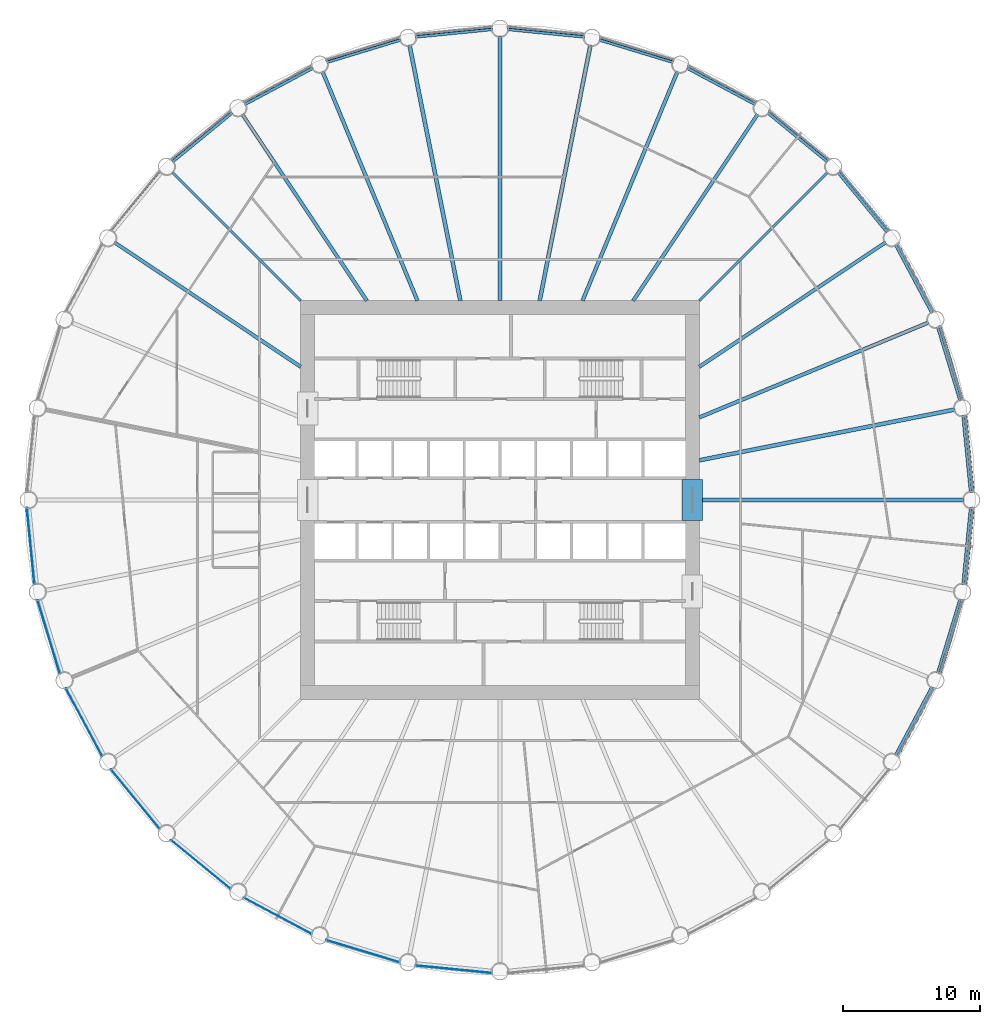
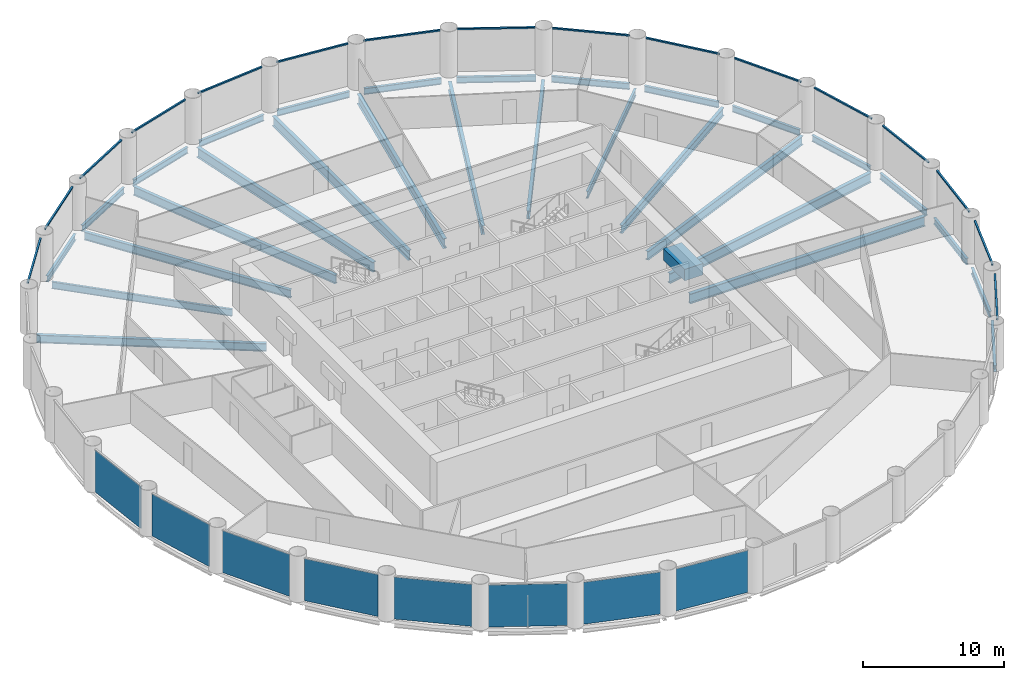
# One storey, part 2 of 9: 30 beams, 16 members, 8 plates, 24 elements without a shape of their own.
"""IFC4 building model written with IfcOpenShell, lengths in metres."""

from ifc_helpers import new_model, si_unit, direction, frame, origin, origin_2d, place, context, subcontext, project, spatial, rectangle, i_section, extrude, material, layer, layer_set, material_profile, profile_set, type_object, element, aggregate, save


model = new_model("IFC4")

# Units and contexts
model_context = context("Model", 3, precision=1e-05, world=origin(), true_north=direction((0.0, 1.0)))
body_context = subcontext(model_context, "Body", "Model", "MODEL_VIEW")
ifc_project = project(units=[si_unit("LENGTHUNIT", "METRE"), si_unit("AREAUNIT", "SQUARE_METRE"), si_unit("VOLUMEUNIT", "CUBIC_METRE"), si_unit("PLANEANGLEUNIT", "RADIAN"), si_unit("MASSUNIT", "GRAM", prefix="KILO")], contexts=[model_context])

# Site, building, storey
site_placement = place(None, origin())
site = spatial("IfcSite", under=ifc_project, at=site_placement, CompositionType="ELEMENT")
building_placement = place(site_placement, origin())
building = spatial("IfcBuilding", under=site, at=building_placement, Name="Corvane Civic Tower", CompositionType="ELEMENT")
storey_placement = place(building_placement, frame((0.0, 0.0, 98.5)))
storey = spatial("IfcBuildingStorey", under=building, at=storey_placement, Name="L22", CompositionType="ELEMENT", Elevation=98.5)

# Beams
ifc_material_1 = material(Name="Concrete C70/85", Category="concrete")
ifc_material_profile_1 = material_profile(ifc_material_1, rectangle(XDim=1.5, YDim=1.0, at=origin_2d()), Name="COUPLING BEAM 1500X1000")
ifc_profile_set_1 = profile_set([ifc_material_profile_1], Name="Concrete C70/85")
beam_type_1 = type_object("IfcBeamType", Name="COUPLING BEAM COUPLING BEAM 1500X1000", PredefinedType="BEAM", material=ifc_profile_set_1)
beam_1_placement = place(storey_placement, frame((14.0, -1.5, 2.60009765625), z_axis=(0.0, 1.0, 0.0), x_axis=(-1.0, 0.0, 0.0)))
element("IfcBeam", 1, at=beam_1_placement, inside=storey, type_object=beam_type_1, Name="BM-L22-cpl-CW-LE", PredefinedType="BEAM", context=body_context, shape_type="SweptSolid", body=[
    extrude(rectangle(XDim=1.5, YDim=1.0, at=origin_2d()), origin(), (0.0, 0.0, 1.0), 3.0),
])
ifc_material_2 = material(Name="Steel ASTM A992 Gr 50", Category="steel")
ifc_material_profile_2 = material_profile(ifc_material_2, i_section(OverallWidth=0.209228515625, OverallDepth=0.533447265625, WebThickness=0.01025390625, FlangeThickness=0.015625, at=origin_2d()), Name="W21X62")
ifc_profile_set_2 = profile_set([ifc_material_profile_2], Name="Steel ASTM A992 Gr 50")
beam_type_2 = type_object("IfcBeamType", Name="EDGE BEAM W21X62", PredefinedType="BEAM", material=ifc_profile_set_2)
beam_2_placement = place(storey_placement, frame((0.54736328125, 34.24609375, -0.566650390625), z_axis=(0.995184368522, -0.098020776625, 0.0), x_axis=(0.098020776625, 0.995184368522, 0.0)))
element("IfcBeam", 2, at=beam_2_placement, inside=storey, type_object=beam_type_2, Name="BM-L22-E01", PredefinedType="BEAM", context=body_context, shape_type="SweptSolid", body=[
    extrude(i_section(OverallWidth=0.209228515625, OverallDepth=0.533447265625, WebThickness=0.01025390625, FlangeThickness=0.015625, at=origin_2d()), origin(), (0.0, 0.0, 1.0), 5.6240234375),
])
beam_3_placement = place(storey_placement, frame((7.218017578125, 33.481201171875, -0.566650390625), z_axis=(0.956936367498, -0.290297758448, 0.0), x_axis=(0.290297758448, 0.956936367498, 0.0)))
element("IfcBeam", 3, at=beam_3_placement, inside=storey, type_object=beam_type_2, Name="BM-L22-E02", PredefinedType="BEAM", context=body_context, shape_type="SweptSolid", body=[
    extrude(i_section(OverallWidth=0.209228515625, OverallDepth=0.533447265625, WebThickness=0.01025390625, FlangeThickness=0.015625, at=origin_2d()), origin(), (0.0, 0.0, 1.0), 5.623779296875),
])
for number, where, z_axis, x_axis, name in (
    (4, (13.611083984375, 31.4296875, -0.566650390625), (0.88192357867, -0.471392407008, 0.0), (0.471392407008, 0.88192357867, 0.0), "BM-L22-E03"),
    (5, (19.481201171875, 28.17041015625, -0.566650390625), (0.773006775372, -0.634397765782, 0.0), (0.634397765782, 0.773006775372, 0.0), "BM-L22-E04"),
    (6, (24.6025390625, 23.82861328125, -0.566650390625), (0.634397765782, -0.773006775372, 0.0), (0.773006775372, 0.634397765782, 0.0), "BM-L22-E05"),
    (7, (28.778564453125, 18.571044921875, -0.566650390625), (0.471392407008, -0.88192357867, 0.0), (0.88192357867, 0.471392407008, 0.0), "BM-L22-E06"),
):
    element("IfcBeam", number, at=place(storey_placement, frame(where, z_axis=z_axis, x_axis=x_axis)), inside=storey, type_object=beam_type_2, Name=name, PredefinedType="BEAM", context=body_context, shape_type="SweptSolid", body=[
        extrude(i_section(OverallWidth=0.209228515625, OverallDepth=0.533447265625, WebThickness=0.01025390625, FlangeThickness=0.015625, at=origin_2d()), origin(), (0.0, 0.0, 1.0), 5.6240234375),
    ])
beam_4_placement = place(storey_placement, frame((31.8486328125, 12.599609375, -0.566650390625), z_axis=(0.290297758448, -0.956936367498, 0.0), x_axis=(0.956936367498, 0.290297758448, 0.0)))
element("IfcBeam", 8, at=beam_4_placement, inside=storey, type_object=beam_type_2, Name="BM-L22-E07", PredefinedType="BEAM", context=body_context, shape_type="SweptSolid", body=[
    extrude(i_section(OverallWidth=0.209228515625, OverallDepth=0.533447265625, WebThickness=0.01025390625, FlangeThickness=0.015625, at=origin_2d()), origin(), (0.0, 0.0, 1.0), 5.623779296875),
])
for number, where, z_axis, x_axis, name in (
    (9, (33.69482421875, 6.144287109375, -0.566650390625), (0.098020776625, -0.995184368522, 0.0), (0.995184368522, 0.098020776625, 0.0), "BM-L22-E08"),
    (10, (34.24609375, -0.54736328125, -0.566650390625), (-0.098020776625, -0.995184368522, 0.0), (0.995184368522, -0.098020776625, 0.0), "BM-L22-E09"),
):
    element("IfcBeam", number, at=place(storey_placement, frame(where, z_axis=z_axis, x_axis=x_axis)), inside=storey, type_object=beam_type_2, Name=name, PredefinedType="BEAM", context=body_context, shape_type="SweptSolid", body=[
        extrude(i_section(OverallWidth=0.209228515625, OverallDepth=0.533447265625, WebThickness=0.01025390625, FlangeThickness=0.015625, at=origin_2d()), origin(), (0.0, 0.0, 1.0), 5.6240234375),
    ])
beam_5_placement = place(storey_placement, frame((33.481201171875, -7.218017578125, -0.566650390625), z_axis=(-0.290297758448, -0.956936367498, 0.0), x_axis=(0.956936367498, -0.290297758448, 0.0)))
element("IfcBeam", 11, at=beam_5_placement, inside=storey, type_object=beam_type_2, Name="BM-L22-E10", PredefinedType="BEAM", context=body_context, shape_type="SweptSolid", body=[
    extrude(i_section(OverallWidth=0.209228515625, OverallDepth=0.533447265625, WebThickness=0.01025390625, FlangeThickness=0.015625, at=origin_2d()), origin(), (0.0, 0.0, 1.0), 5.623779296875),
])
for number, where, z_axis, x_axis, name in (
    (12, (31.4296875, -13.611083984375, -0.566650390625), (-0.471392407008, -0.88192357867, 0.0), (0.88192357867, -0.471392407008, 0.0), "BM-L22-E11"),
    (13, (-23.82861328125, 24.6025390625, -0.566650390625), (0.773006775372, 0.634397765782, 0.0), (-0.634397765782, 0.773006775372, 0.0), "BM-L22-E29"),
    (14, (-18.571044921875, 28.778564453125, -0.566650390625), (0.88192357867, 0.471392407008, 0.0), (-0.471392407008, 0.88192357867, 0.0), "BM-L22-E30"),
):
    element("IfcBeam", number, at=place(storey_placement, frame(where, z_axis=z_axis, x_axis=x_axis)), inside=storey, type_object=beam_type_2, Name=name, PredefinedType="BEAM", context=body_context, shape_type="SweptSolid", body=[
        extrude(i_section(OverallWidth=0.209228515625, OverallDepth=0.533447265625, WebThickness=0.01025390625, FlangeThickness=0.015625, at=origin_2d()), origin(), (0.0, 0.0, 1.0), 5.6240234375),
    ])
beam_6_placement = place(storey_placement, frame((-12.599609375, 31.8486328125, -0.566650390625), z_axis=(0.956936367498, 0.290297758448, 0.0), x_axis=(-0.290297758448, 0.956936367498, 0.0)))
element("IfcBeam", 15, at=beam_6_placement, inside=storey, type_object=beam_type_2, Name="BM-L22-E31", PredefinedType="BEAM", context=body_context, shape_type="SweptSolid", body=[
    extrude(i_section(OverallWidth=0.209228515625, OverallDepth=0.533447265625, WebThickness=0.01025390625, FlangeThickness=0.015625, at=origin_2d()), origin(), (0.0, 0.0, 1.0), 5.623779296875),
])
beam_7_placement = place(storey_placement, frame((-6.144287109375, 33.69482421875, -0.566650390625), z_axis=(0.995184368522, 0.098020776625, 0.0), x_axis=(-0.098020776625, 0.995184368522, 0.0)))
element("IfcBeam", 16, at=beam_7_placement, inside=storey, type_object=beam_type_2, Name="BM-L22-E32", PredefinedType="BEAM", context=body_context, shape_type="SweptSolid", body=[
    extrude(i_section(OverallWidth=0.209228515625, OverallDepth=0.533447265625, WebThickness=0.01025390625, FlangeThickness=0.015625, at=origin_2d()), origin(), (0.0, 0.0, 1.0), 5.6240234375),
])
ifc_material_3 = material(Name="Steel ASTM A992 Gr 50", Category="steel")
ifc_material_profile_3 = material_profile(ifc_material_3, i_section(OverallWidth=0.177978515625, OverallDepth=0.599365234375, WebThickness=0.010009765625, FlangeThickness=0.012939453125, at=origin_2d()), Name="W24X55")
ifc_profile_set_3 = profile_set([ifc_material_profile_3], Name="Steel ASTM A992 Gr 50")
beam_type_3 = type_object("IfcBeamType", Name="FLOOR GIRDER W24X55", PredefinedType="BEAM", material=ifc_profile_set_3)
for number, where, z_axis, x_axis, name in (
    (17, (14.5, 14.5, -0.599609375), (0.707106781187, 0.707106781187, 0.0), (-0.707106781187, 0.707106781187, 0.0), "BM-L22-G05"),
    (18, (-14.5, 14.5, -0.599609375), (-0.707106781187, 0.707106781187, 0.0), (-0.707106781187, -0.707106781187, 0.0), "BM-L22-G29"),
):
    element("IfcBeam", number, at=place(storey_placement, frame(where, z_axis=z_axis, x_axis=x_axis)), inside=storey, type_object=beam_type_3, Name=name, PredefinedType="BEAM", context=body_context, shape_type="SweptSolid", body=[
        extrude(i_section(OverallWidth=0.177978515625, OverallDepth=0.599365234375, WebThickness=0.010009765625, FlangeThickness=0.012939453125, at=origin_2d()), origin(), (0.0, 0.0, 1.0), 13.24365234375),
    ])
ifc_material_4 = material(Name="Steel ASTM A992 Gr 50", Category="steel")
ifc_material_profile_4 = material_profile(ifc_material_4, i_section(OverallWidth=0.256591796875, OverallDepth=0.693359375, WebThickness=0.014404296875, FlangeThickness=0.023681640625, at=origin_2d()), Name="W27X114")
ifc_profile_set_4 = profile_set([ifc_material_profile_4], Name="Steel ASTM A992 Gr 50")
beam_type_4 = type_object("IfcBeamType", Name="FLOOR GIRDER W27X114", PredefinedType="BEAM", material=ifc_profile_set_4)
for number, where, z_axis, x_axis, name in (
    (19, (9.6884765625, 14.5, -0.646728515625), (0.555577235054, 0.83146493365, 0.0), (-0.83146493365, 0.555577235054, 0.0), "BM-L22-G04"),
    (20, (14.5, 9.6884765625, -0.646728515625), (0.83146493365, 0.555577235054, 0.0), (-0.555577235054, 0.83146493365, 0.0), "BM-L22-G06"),
    (21, (-14.5, 9.6884765625, -0.646728515625), (-0.83146493365, 0.555577235054, 0.0), (-0.555577235054, -0.83146493365, 0.0), "BM-L22-G28"),
    (22, (-9.6884765625, 14.5, -0.646728515625), (-0.555577235054, 0.83146493365, 0.0), (-0.83146493365, -0.555577235054, 0.0), "BM-L22-G30"),
):
    element("IfcBeam", number, at=place(storey_placement, frame(where, z_axis=z_axis, x_axis=x_axis)), inside=storey, type_object=beam_type_4, Name=name, PredefinedType="BEAM", context=body_context, shape_type="SweptSolid", body=[
        extrude(i_section(OverallWidth=0.256591796875, OverallDepth=0.693359375, WebThickness=0.014404296875, FlangeThickness=0.023681640625, at=origin_2d()), origin(), (0.0, 0.0, 1.0), 16.31103515625),
    ])
ifc_material_5 = material(Name="Steel ASTM A992 Gr 50", Category="steel")
ifc_material_profile_5 = material_profile(ifc_material_5, i_section(OverallWidth=0.2666015625, OverallDepth=0.7568359375, WebThickness=0.013916015625, FlangeThickness=0.019287109375, at=origin_2d()), Name="W30X108")
ifc_profile_set_5 = profile_set([ifc_material_profile_5], Name="Steel ASTM A992 Gr 50")
beam_type_5 = type_object("IfcBeamType", Name="FLOOR GIRDER W30X108", PredefinedType="BEAM", material=ifc_profile_set_5)
for number, where, z_axis, x_axis, name in (
    (23, (6.006103515625, 14.5, -0.678466796875), (0.382681797504, 0.923880209691, 0.0), (-0.923880209691, 0.382681797504, 0.0), "BM-L22-G03"),
    (24, (14.5, 6.006103515625, -0.678466796875), (0.923880209691, 0.382681797504, 0.0), (-0.382681797504, 0.923880209691, 0.0), "BM-L22-G07"),
    (25, (-6.006103515625, 14.5, -0.678466796875), (-0.382681797504, 0.923880209691, 0.0), (-0.923880209691, -0.382681797504, 0.0), "BM-L22-G31"),
):
    element("IfcBeam", number, at=place(storey_placement, frame(where, z_axis=z_axis, x_axis=x_axis)), inside=storey, type_object=beam_type_5, Name=name, PredefinedType="BEAM", context=body_context, shape_type="SweptSolid", body=[
        extrude(i_section(OverallWidth=0.2666015625, OverallDepth=0.7568359375, WebThickness=0.013916015625, FlangeThickness=0.019287109375, at=origin_2d()), origin(), (0.0, 0.0, 1.0), 18.05517578125),
    ])
ifc_material_6 = material(Name="Steel ASTM A992 Gr 50", Category="steel")
ifc_material_profile_6 = material_profile(ifc_material_6, i_section(OverallWidth=0.2919921875, OverallDepth=0.8583984375, WebThickness=0.01708984375, FlangeThickness=0.031005859375, at=origin_2d()), Name="W33X169")
ifc_profile_set_6 = profile_set([ifc_material_profile_6], Name="Steel ASTM A992 Gr 50")
beam_type_6 = type_object("IfcBeamType", Name="FLOOR GIRDER W33X169", PredefinedType="BEAM", material=ifc_profile_set_6)
beam_8_placement = place(storey_placement, frame((0.0, 14.5, -0.729248046875), z_axis=(0.0, 1.0, 0.0), x_axis=(-1.0, 0.0, 0.0)))
element("IfcBeam", 26, at=beam_8_placement, inside=storey, type_object=beam_type_6, Name="BM-L22-G01", PredefinedType="BEAM", context=body_context, shape_type="SweptSolid", body=[
    extrude(i_section(OverallWidth=0.2919921875, OverallDepth=0.8583984375, WebThickness=0.01708984375, FlangeThickness=0.031005859375, at=origin_2d()), origin(), (0.0, 0.0, 1.0), 19.25),
])
for number, where, z_axis, x_axis, name in (
    (27, (2.88427734375, 14.5, -0.729248046875), (0.195083745652, 0.9807865885, 0.0), (-0.9807865885, 0.195083745652, 0.0), "BM-L22-G02"),
    (28, (14.5, 2.88427734375, -0.729248046875), (0.9807865885, 0.195083745652, 0.0), (-0.195083745652, 0.9807865885, 0.0), "BM-L22-G08"),
):
    element("IfcBeam", number, at=place(storey_placement, frame(where, z_axis=z_axis, x_axis=x_axis)), inside=storey, type_object=beam_type_6, Name=name, PredefinedType="BEAM", context=body_context, shape_type="SweptSolid", body=[
        extrude(i_section(OverallWidth=0.2919921875, OverallDepth=0.8583984375, WebThickness=0.01708984375, FlangeThickness=0.031005859375, at=origin_2d()), origin(), (0.0, 0.0, 1.0), 18.966064453125),
    ])
beam_9_placement = place(storey_placement, frame((14.5, 0.0, -0.729248046875), z_axis=(1.0, 0.0, 0.0), x_axis=(0.0, 1.0, 0.0)))
element("IfcBeam", 29, at=beam_9_placement, inside=storey, type_object=beam_type_6, Name="BM-L22-G09", PredefinedType="BEAM", context=body_context, shape_type="SweptSolid", body=[
    extrude(i_section(OverallWidth=0.2919921875, OverallDepth=0.8583984375, WebThickness=0.01708984375, FlangeThickness=0.031005859375, at=origin_2d()), origin(), (0.0, 0.0, 1.0), 19.25),
])
beam_10_placement = place(storey_placement, frame((-2.88427734375, 14.5, -0.729248046875), z_axis=(-0.195083745652, 0.9807865885, 0.0), x_axis=(-0.9807865885, -0.195083745652, 0.0)))
element("IfcBeam", 30, at=beam_10_placement, inside=storey, type_object=beam_type_6, Name="BM-L22-G32", PredefinedType="BEAM", context=body_context, shape_type="SweptSolid", body=[
    extrude(i_section(OverallWidth=0.2919921875, OverallDepth=0.8583984375, WebThickness=0.01708984375, FlangeThickness=0.031005859375, at=origin_2d()), origin(), (0.0, 0.0, 1.0), 18.966064453125),
])

# Curtain wall, member
ifc_material_7 = material(Name="Anodised aluminium bronze", Category="aluminium")
curtain_wall_type = type_object("IfcCurtainWallType", Name="TOWER CW-T1 STICK CURTAIN WALL", PredefinedType="NOTDEFINED", material=ifc_material_7)
curtain_wall_1_placement = place(storey_placement, origin())
curtain_wall_1 = element("IfcCurtainWall", 31, at=curtain_wall_1_placement, inside=storey, type_object=curtain_wall_type, Name="Curtain wall CW-T1 L22 bay 01", PredefinedType="NOTDEFINED")
ifc_material_8 = material(Name="Anodised aluminium bronze", Category="aluminium")
ifc_material_profile_7 = material_profile(ifc_material_8, rectangle(XDim=0.139892578125, YDim=0.1201171875, at=origin_2d()), Name="TOWER CW-T1 TRANSOM 140x120")
ifc_profile_set_7 = profile_set([ifc_material_profile_7], Name="Anodised aluminium bronze")
member_type = type_object("IfcMemberType", Name="TOWER CW-T1 TRANSOM 140x120", PredefinedType="USERDEFINED", material=ifc_profile_set_7)
member_1_placement = place(storey_placement, frame((0.58349609375, 34.422607421875, 3.68994140625), z_axis=(0.995179807033, -0.098067077419, 0.0), x_axis=(0.098067077419, 0.995179807033, 0.0)))
member_1 = element("IfcMember", 32, at=member_1_placement, type_object=member_type, Name="Transom CW-T1 L22 01.1", ObjectType="TRANSOM", PredefinedType="USERDEFINED", context=body_context, shape_type="SweptSolid", body=[
    extrude(rectangle(XDim=0.139892578125, YDim=0.1201171875, at=origin_2d()), origin(), (0.0, 0.0, 1.0), 5.58642578125),
])
aggregate(curtain_wall_1, [member_1])

curtain_wall_2_placement = place(storey_placement, origin())
curtain_wall_2 = element("IfcCurtainWall", 33, at=curtain_wall_2_placement, inside=storey, type_object=curtain_wall_type, Name="Curtain wall CW-T1 L22 bay 02", PredefinedType="NOTDEFINED")
member_2_placement = place(storey_placement, frame((7.287841796875, 33.647216796875, 3.68994140625), z_axis=(0.956944977029, -0.290269376509, 0.0), x_axis=(0.290269376509, 0.956944977029, 0.0)))
member_2 = element("IfcMember", 34, at=member_2_placement, type_object=member_type, Name="Transom CW-T1 L22 02.1", ObjectType="TRANSOM", PredefinedType="USERDEFINED", context=body_context, shape_type="SweptSolid", body=[
    extrude(rectangle(XDim=0.139892578125, YDim=0.1201171875, at=origin_2d()), origin(), (0.0, 0.0, 1.0), 5.58642578125),
])
aggregate(curtain_wall_2, [member_2])

curtain_wall_3_placement = place(storey_placement, origin())
curtain_wall_3 = element("IfcCurtainWall", 35, at=curtain_wall_3_placement, inside=storey, type_object=curtain_wall_type, Name="Curtain wall CW-T1 L22 bay 03", PredefinedType="NOTDEFINED")
member_3_placement = place(storey_placement, frame((13.712158203125, 31.5791015625, 3.68994140625), z_axis=(0.881920705407, -0.47139778253, 0.0), x_axis=(0.47139778253, 0.881920705407, 0.0)))
member_3 = element("IfcMember", 36, at=member_3_placement, type_object=member_type, Name="Transom CW-T1 L22 03.1", ObjectType="TRANSOM", PredefinedType="USERDEFINED", context=body_context, shape_type="SweptSolid", body=[
    extrude(rectangle(XDim=0.139892578125, YDim=0.1201171875, at=origin_2d()), origin(), (0.0, 0.0, 1.0), 5.586669921875),
])
aggregate(curtain_wall_3, [member_3])

curtain_wall_4_placement = place(storey_placement, origin())
curtain_wall_4 = element("IfcCurtainWall", 37, at=curtain_wall_4_placement, inside=storey, type_object=curtain_wall_type, Name="Curtain wall CW-T1 L22 bay 04", PredefinedType="NOTDEFINED")
member_4_placement = place(storey_placement, frame((19.609619140625, 28.297119140625, 3.68994140625), z_axis=(0.772996431642, -0.634410369295, 0.0), x_axis=(0.634410369295, 0.772996431642, 0.0)))
member_4 = element("IfcMember", 38, at=member_4_placement, type_object=member_type, Name="Transom CW-T1 L22 04.1", ObjectType="TRANSOM", PredefinedType="USERDEFINED", context=body_context, shape_type="SweptSolid", body=[
    extrude(rectangle(XDim=0.139892578125, YDim=0.1201171875, at=origin_2d()), origin(), (0.0, 0.0, 1.0), 5.586181640625),
])
aggregate(curtain_wall_4, [member_4])

curtain_wall_5_placement = place(storey_placement, origin())
curtain_wall_5 = element("IfcCurtainWall", 39, at=curtain_wall_5_placement, inside=storey, type_object=curtain_wall_type, Name="Curtain wall CW-T1 L22 bay 05", PredefinedType="NOTDEFINED")
member_5_placement = place(storey_placement, frame((24.753173828125, 23.927734375, 3.68994140625), z_axis=(0.634410369295, -0.772996431642, 0.0), x_axis=(0.772996431642, 0.634410369295, 0.0)))
member_5 = element("IfcMember", 40, at=member_5_placement, type_object=member_type, Name="Transom CW-T1 L22 05.1", ObjectType="TRANSOM", PredefinedType="USERDEFINED", context=body_context, shape_type="SweptSolid", body=[
    extrude(rectangle(XDim=0.139892578125, YDim=0.1201171875, at=origin_2d()), origin(), (0.0, 0.0, 1.0), 5.586181640625),
])
aggregate(curtain_wall_5, [member_5])

curtain_wall_6_placement = place(storey_placement, origin())
curtain_wall_6 = element("IfcCurtainWall", 41, at=curtain_wall_6_placement, inside=storey, type_object=curtain_wall_type, Name="Curtain wall CW-T1 L22 bay 06", PredefinedType="NOTDEFINED")
member_6_placement = place(storey_placement, frame((28.945556640625, 18.63916015625, 3.68994140625), z_axis=(0.47139778253, -0.881920705407, 0.0), x_axis=(0.881920705407, 0.47139778253, 0.0)))
member_6 = element("IfcMember", 42, at=member_6_placement, type_object=member_type, Name="Transom CW-T1 L22 06.1", ObjectType="TRANSOM", PredefinedType="USERDEFINED", context=body_context, shape_type="SweptSolid", body=[
    extrude(rectangle(XDim=0.139892578125, YDim=0.1201171875, at=origin_2d()), origin(), (0.0, 0.0, 1.0), 5.586669921875),
])
aggregate(curtain_wall_6, [member_6])

curtain_wall_7_placement = place(storey_placement, origin())
curtain_wall_7 = element("IfcCurtainWall", 43, at=curtain_wall_7_placement, inside=storey, type_object=curtain_wall_type, Name="Curtain wall CW-T1 L22 bay 07", PredefinedType="NOTDEFINED")
member_7_placement = place(storey_placement, frame((32.025634765625, 12.6337890625, 3.68994140625), z_axis=(0.290269376509, -0.956944977029, 0.0), x_axis=(0.956944977029, 0.290269376509, 0.0)))
member_7 = element("IfcMember", 44, at=member_7_placement, type_object=member_type, Name="Transom CW-T1 L22 07.1", ObjectType="TRANSOM", PredefinedType="USERDEFINED", context=body_context, shape_type="SweptSolid", body=[
    extrude(rectangle(XDim=0.139892578125, YDim=0.1201171875, at=origin_2d()), origin(), (0.0, 0.0, 1.0), 5.58642578125),
])
aggregate(curtain_wall_7, [member_7])

curtain_wall_8_placement = place(storey_placement, origin())
curtain_wall_8 = element("IfcCurtainWall", 45, at=curtain_wall_8_placement, inside=storey, type_object=curtain_wall_type, Name="Curtain wall CW-T1 L22 bay 08", PredefinedType="NOTDEFINED")
member_8_placement = place(storey_placement, frame((33.874755859375, 6.14306640625, 3.68994140625), z_axis=(0.098067077419, -0.995179807033, 0.0), x_axis=(0.995179807033, 0.098067077419, 0.0)))
member_8 = element("IfcMember", 46, at=member_8_placement, type_object=member_type, Name="Transom CW-T1 L22 08.1", ObjectType="TRANSOM", PredefinedType="USERDEFINED", context=body_context, shape_type="SweptSolid", body=[
    extrude(rectangle(XDim=0.139892578125, YDim=0.1201171875, at=origin_2d()), origin(), (0.0, 0.0, 1.0), 5.58642578125),
])
aggregate(curtain_wall_8, [member_8])

curtain_wall_9_placement = place(storey_placement, origin())
curtain_wall_9 = element("IfcCurtainWall", 47, at=curtain_wall_9_placement, inside=storey, type_object=curtain_wall_type, Name="Curtain wall CW-T1 L22 bay 09", PredefinedType="NOTDEFINED")
member_9_placement = place(storey_placement, frame((34.422607421875, -0.58349609375, 3.68994140625), z_axis=(-0.098067077419, -0.995179807033, 0.0), x_axis=(0.995179807033, -0.098067077419, 0.0)))
member_9 = element("IfcMember", 48, at=member_9_placement, type_object=member_type, Name="Transom CW-T1 L22 09.1", ObjectType="TRANSOM", PredefinedType="USERDEFINED", context=body_context, shape_type="SweptSolid", body=[
    extrude(rectangle(XDim=0.139892578125, YDim=0.1201171875, at=origin_2d()), origin(), (0.0, 0.0, 1.0), 5.58642578125),
])
aggregate(curtain_wall_9, [member_9])

curtain_wall_10_placement = place(storey_placement, origin())
curtain_wall_10 = element("IfcCurtainWall", 49, at=curtain_wall_10_placement, inside=storey, type_object=curtain_wall_type, Name="Curtain wall CW-T1 L22 bay 10", PredefinedType="NOTDEFINED")
member_10_placement = place(storey_placement, frame((33.647216796875, -7.287841796875, 3.68994140625), z_axis=(-0.290269376509, -0.956944977029, 0.0), x_axis=(0.956944977029, -0.290269376509, 0.0)))
member_10 = element("IfcMember", 50, at=member_10_placement, type_object=member_type, Name="Transom CW-T1 L22 10.1", ObjectType="TRANSOM", PredefinedType="USERDEFINED", context=body_context, shape_type="SweptSolid", body=[
    extrude(rectangle(XDim=0.139892578125, YDim=0.1201171875, at=origin_2d()), origin(), (0.0, 0.0, 1.0), 5.58642578125),
])
aggregate(curtain_wall_10, [member_10])

curtain_wall_11_placement = place(storey_placement, origin())
curtain_wall_11 = element("IfcCurtainWall", 51, at=curtain_wall_11_placement, inside=storey, type_object=curtain_wall_type, Name="Curtain wall CW-T1 L22 bay 11", PredefinedType="NOTDEFINED")
member_11_placement = place(storey_placement, frame((31.5791015625, -13.712158203125, 3.68994140625), z_axis=(-0.47139778253, -0.881920705407, 0.0), x_axis=(0.881920705407, -0.47139778253, 0.0)))
member_11 = element("IfcMember", 52, at=member_11_placement, type_object=member_type, Name="Transom CW-T1 L22 11.1", ObjectType="TRANSOM", PredefinedType="USERDEFINED", context=body_context, shape_type="SweptSolid", body=[
    extrude(rectangle(XDim=0.139892578125, YDim=0.1201171875, at=origin_2d()), origin(), (0.0, 0.0, 1.0), 5.586669921875),
])
aggregate(curtain_wall_11, [member_11])

curtain_wall_12_placement = place(storey_placement, origin())
curtain_wall_12 = element("IfcCurtainWall", 53, at=curtain_wall_12_placement, inside=storey, type_object=curtain_wall_type, Name="Curtain wall CW-T1 L22 bay 28", PredefinedType="NOTDEFINED")
member_12_placement = place(storey_placement, frame((-28.297119140625, 19.609619140625, 3.68994140625), z_axis=(0.634410369295, 0.772996431642, 0.0), x_axis=(-0.772996431642, 0.634410369295, 0.0)))
member_12 = element("IfcMember", 54, at=member_12_placement, type_object=member_type, Name="Transom CW-T1 L22 28.1", ObjectType="TRANSOM", PredefinedType="USERDEFINED", context=body_context, shape_type="SweptSolid", body=[
    extrude(rectangle(XDim=0.139892578125, YDim=0.1201171875, at=origin_2d()), origin(), (0.0, 0.0, 1.0), 5.586181640625),
])
aggregate(curtain_wall_12, [member_12])

curtain_wall_13_placement = place(storey_placement, origin())
curtain_wall_13 = element("IfcCurtainWall", 55, at=curtain_wall_13_placement, inside=storey, type_object=curtain_wall_type, Name="Curtain wall CW-T1 L22 bay 29", PredefinedType="NOTDEFINED")
member_13_placement = place(storey_placement, frame((-23.927734375, 24.753173828125, 3.68994140625), z_axis=(0.772996431642, 0.634410369295, 0.0), x_axis=(-0.634410369295, 0.772996431642, 0.0)))
member_13 = element("IfcMember", 56, at=member_13_placement, type_object=member_type, Name="Transom CW-T1 L22 29.1", ObjectType="TRANSOM", PredefinedType="USERDEFINED", context=body_context, shape_type="SweptSolid", body=[
    extrude(rectangle(XDim=0.139892578125, YDim=0.1201171875, at=origin_2d()), origin(), (0.0, 0.0, 1.0), 5.586181640625),
])
aggregate(curtain_wall_13, [member_13])

curtain_wall_14_placement = place(storey_placement, origin())
curtain_wall_14 = element("IfcCurtainWall", 57, at=curtain_wall_14_placement, inside=storey, type_object=curtain_wall_type, Name="Curtain wall CW-T1 L22 bay 30", PredefinedType="NOTDEFINED")
member_14_placement = place(storey_placement, frame((-18.63916015625, 28.945556640625, 3.68994140625), z_axis=(0.881920705407, 0.47139778253, 0.0), x_axis=(-0.47139778253, 0.881920705407, 0.0)))
member_14 = element("IfcMember", 58, at=member_14_placement, type_object=member_type, Name="Transom CW-T1 L22 30.1", ObjectType="TRANSOM", PredefinedType="USERDEFINED", context=body_context, shape_type="SweptSolid", body=[
    extrude(rectangle(XDim=0.139892578125, YDim=0.1201171875, at=origin_2d()), origin(), (0.0, 0.0, 1.0), 5.586669921875),
])
aggregate(curtain_wall_14, [member_14])

curtain_wall_15_placement = place(storey_placement, origin())
curtain_wall_15 = element("IfcCurtainWall", 59, at=curtain_wall_15_placement, inside=storey, type_object=curtain_wall_type, Name="Curtain wall CW-T1 L22 bay 31", PredefinedType="NOTDEFINED")
member_15_placement = place(storey_placement, frame((-12.6337890625, 32.025634765625, 3.68994140625), z_axis=(0.956944977029, 0.290269376509, 0.0), x_axis=(-0.290269376509, 0.956944977029, 0.0)))
member_15 = element("IfcMember", 60, at=member_15_placement, type_object=member_type, Name="Transom CW-T1 L22 31.1", ObjectType="TRANSOM", PredefinedType="USERDEFINED", context=body_context, shape_type="SweptSolid", body=[
    extrude(rectangle(XDim=0.139892578125, YDim=0.1201171875, at=origin_2d()), origin(), (0.0, 0.0, 1.0), 5.58642578125),
])
aggregate(curtain_wall_15, [member_15])

curtain_wall_16_placement = place(storey_placement, origin())
curtain_wall_16 = element("IfcCurtainWall", 61, at=curtain_wall_16_placement, inside=storey, type_object=curtain_wall_type, Name="Curtain wall CW-T1 L22 bay 32", PredefinedType="NOTDEFINED")
member_16_placement = place(storey_placement, frame((-6.14306640625, 33.874755859375, 3.68994140625), z_axis=(0.995179807033, 0.098067077419, 0.0), x_axis=(-0.098067077419, 0.995179807033, 0.0)))
member_16 = element("IfcMember", 62, at=member_16_placement, type_object=member_type, Name="Transom CW-T1 L22 32.1", ObjectType="TRANSOM", PredefinedType="USERDEFINED", context=body_context, shape_type="SweptSolid", body=[
    extrude(rectangle(XDim=0.139892578125, YDim=0.1201171875, at=origin_2d()), origin(), (0.0, 0.0, 1.0), 5.58642578125),
])
aggregate(curtain_wall_16, [member_16])

# Curtain wall, plate
curtain_wall_17_placement = place(storey_placement, origin())
curtain_wall_17 = element("IfcCurtainWall", 63, at=curtain_wall_17_placement, inside=storey, type_object=curtain_wall_type, Name="Curtain wall CW-T1 L22 bay 17", PredefinedType="NOTDEFINED")
ifc_material_9 = material(Name="Tinted glass", Category="glass")
ifc_layer = layer(ifc_material_9, 0.035888671875)
ifc_layer_set = layer_set([ifc_layer], Name="Tinted glass")
plate_type = type_object("IfcPlateType", Name="TOWER CW-T1 PANEL IGU36", PredefinedType="CURTAIN_PANEL", material=ifc_layer_set)
plate_1_placement = place(storey_placement, frame((-3.36328125, -34.148681640625, 0.0), z_axis=(0.0, 0.0, 1.0), x_axis=(-0.995183788169, 0.098026668644, 0.0)))
plate_1 = element("IfcPlate", 64, at=plate_1_placement, type_object=plate_type, Name="Glass panel CW-T1 L22 17.1", PredefinedType="CURTAIN_PANEL", context=body_context, shape_type="SweptSolid", body=[
    extrude(rectangle(XDim=5.58642578125, YDim=0.035888671875, at=origin_2d()), origin(), (0.0, 0.0, 1.0), 3.6298828125),
])
aggregate(curtain_wall_17, [plate_1])

curtain_wall_18_placement = place(storey_placement, origin())
curtain_wall_18 = element("IfcCurtainWall", 65, at=curtain_wall_18_placement, inside=storey, type_object=curtain_wall_type, Name="Curtain wall CW-T1 L22 bay 18", PredefinedType="NOTDEFINED")
plate_2_placement = place(storey_placement, frame((-9.9609375, -32.83642578125, 0.0), z_axis=(0.0, 0.0, 1.0), x_axis=(-0.956945991488, 0.290266032073, 0.0)))
plate_2 = element("IfcPlate", 66, at=plate_2_placement, type_object=plate_type, Name="Glass panel CW-T1 L22 18.1", PredefinedType="CURTAIN_PANEL", context=body_context, shape_type="SweptSolid", body=[
    extrude(rectangle(XDim=5.58642578125, YDim=0.035888671875, at=origin_2d()), origin(), (0.0, 0.0, 1.0), 3.6298828125),
])
aggregate(curtain_wall_18, [plate_2])

curtain_wall_19_placement = place(storey_placement, origin())
curtain_wall_19 = element("IfcCurtainWall", 67, at=curtain_wall_19_placement, inside=storey, type_object=curtain_wall_type, Name="Curtain wall CW-T1 L22 bay 19", PredefinedType="NOTDEFINED")
plate_3_placement = place(storey_placement, frame((-16.175537109375, -30.26220703125, 0.0), z_axis=(0.0, 0.0, 1.0), x_axis=(-0.881923642976, 0.471392286699, 0.0)))
plate_3 = element("IfcPlate", 68, at=plate_3_placement, type_object=plate_type, Name="Glass panel CW-T1 L22 19.1", PredefinedType="CURTAIN_PANEL", context=body_context, shape_type="SweptSolid", body=[
    extrude(rectangle(XDim=5.586669921875, YDim=0.035888671875, at=origin_2d()), origin(), (0.0, 0.0, 1.0), 3.6298828125),
])
aggregate(curtain_wall_19, [plate_3])

curtain_wall_20_placement = place(storey_placement, origin())
curtain_wall_20 = element("IfcCurtainWall", 69, at=curtain_wall_20_placement, inside=storey, type_object=curtain_wall_type, Name="Curtain wall CW-T1 L22 bay 20", PredefinedType="NOTDEFINED")
plate_4_placement = place(storey_placement, frame((-21.7685546875, -26.525146484375, 0.0), z_axis=(0.0, 0.0, 1.0), x_axis=(-0.773013419843, 0.63438966948, 0.0)))
plate_4 = element("IfcPlate", 70, at=plate_4_placement, type_object=plate_type, Name="Glass panel CW-T1 L22 20.1", PredefinedType="CURTAIN_PANEL", context=body_context, shape_type="SweptSolid", body=[
    extrude(rectangle(XDim=5.58642578125, YDim=0.035888671875, at=origin_2d()), origin(), (0.0, 0.0, 1.0), 3.6298828125),
])
aggregate(curtain_wall_20, [plate_4])

curtain_wall_21_placement = place(storey_placement, origin())
curtain_wall_21 = element("IfcCurtainWall", 71, at=curtain_wall_21_placement, inside=storey, type_object=curtain_wall_type, Name="Curtain wall CW-T1 L22 bay 21", PredefinedType="NOTDEFINED")
plate_5_placement = place(storey_placement, frame((-26.525146484375, -21.7685546875, 0.0), z_axis=(0.0, 0.0, 1.0), x_axis=(-0.63438966948, 0.773013419843, 0.0)))
plate_5 = element("IfcPlate", 72, at=plate_5_placement, type_object=plate_type, Name="Glass panel CW-T1 L22 21.1", PredefinedType="CURTAIN_PANEL", context=body_context, shape_type="SweptSolid", body=[
    extrude(rectangle(XDim=5.58642578125, YDim=0.035888671875, at=origin_2d()), origin(), (0.0, 0.0, 1.0), 3.6298828125),
])
aggregate(curtain_wall_21, [plate_5])

curtain_wall_22_placement = place(storey_placement, origin())
curtain_wall_22 = element("IfcCurtainWall", 73, at=curtain_wall_22_placement, inside=storey, type_object=curtain_wall_type, Name="Curtain wall CW-T1 L22 bay 22", PredefinedType="NOTDEFINED")
plate_6_placement = place(storey_placement, frame((-30.26220703125, -16.175537109375, 0.0), z_axis=(0.0, 0.0, 1.0), x_axis=(-0.471392286699, 0.881923642976, 0.0)))
plate_6 = element("IfcPlate", 74, at=plate_6_placement, type_object=plate_type, Name="Glass panel CW-T1 L22 22.1", PredefinedType="CURTAIN_PANEL", context=body_context, shape_type="SweptSolid", body=[
    extrude(rectangle(XDim=5.586669921875, YDim=0.035888671875, at=origin_2d()), origin(), (0.0, 0.0, 1.0), 3.6298828125),
])
aggregate(curtain_wall_22, [plate_6])

curtain_wall_23_placement = place(storey_placement, origin())
curtain_wall_23 = element("IfcCurtainWall", 75, at=curtain_wall_23_placement, inside=storey, type_object=curtain_wall_type, Name="Curtain wall CW-T1 L22 bay 23", PredefinedType="NOTDEFINED")
plate_7_placement = place(storey_placement, frame((-32.83642578125, -9.9609375, 0.0), z_axis=(0.0, 0.0, 1.0), x_axis=(-0.290266032073, 0.956945991488, 0.0)))
plate_7 = element("IfcPlate", 76, at=plate_7_placement, type_object=plate_type, Name="Glass panel CW-T1 L22 23.1", PredefinedType="CURTAIN_PANEL", context=body_context, shape_type="SweptSolid", body=[
    extrude(rectangle(XDim=5.58642578125, YDim=0.035888671875, at=origin_2d()), origin(), (0.0, 0.0, 1.0), 3.6298828125),
])
aggregate(curtain_wall_23, [plate_7])

curtain_wall_24_placement = place(storey_placement, origin())
curtain_wall_24 = element("IfcCurtainWall", 77, at=curtain_wall_24_placement, inside=storey, type_object=curtain_wall_type, Name="Curtain wall CW-T1 L22 bay 24", PredefinedType="NOTDEFINED")
plate_8_placement = place(storey_placement, frame((-34.148681640625, -3.36328125, 0.0), z_axis=(0.0, 0.0, 1.0), x_axis=(-0.098026668644, 0.995183788169, 0.0)))
plate_8 = element("IfcPlate", 78, at=plate_8_placement, type_object=plate_type, Name="Glass panel CW-T1 L22 24.1", PredefinedType="CURTAIN_PANEL", context=body_context, shape_type="SweptSolid", body=[
    extrude(rectangle(XDim=5.58642578125, YDim=0.035888671875, at=origin_2d()), origin(), (0.0, 0.0, 1.0), 3.6298828125),
])
aggregate(curtain_wall_24, [plate_8])

save(model, "model.ifc")
